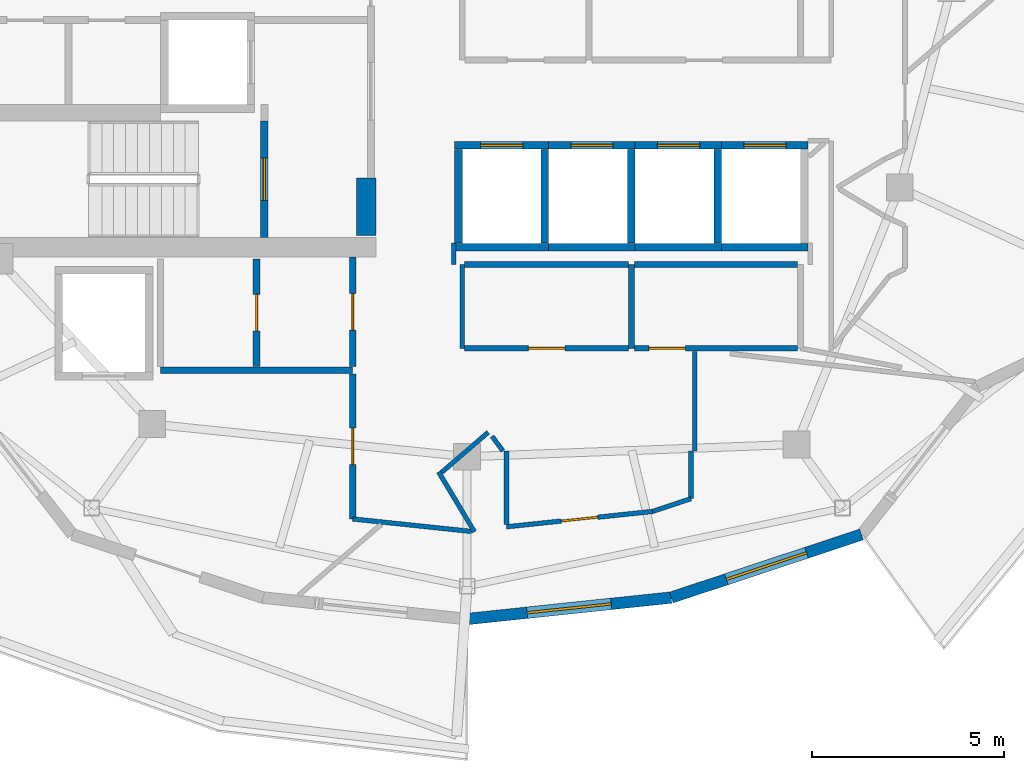
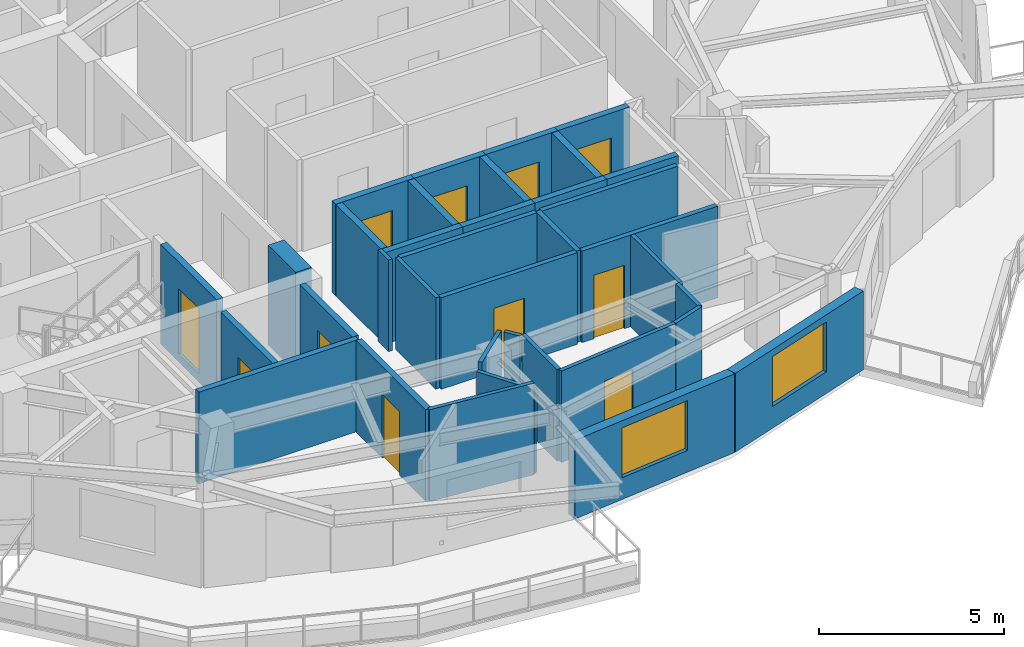
# One storey, part 8 of 14: 36 walls, 11 doors, 2 windows, 13 openings.
"""IFC4 building model written with IfcOpenShell, lengths in metres."""

from ifc_helpers import new_model, si_unit, direction, frame, frame_2d, origin, place, context, subcontext, project, spatial, rectangle, extrude, material, layer, layer_set, type_object, element, fill, save


model = new_model("IFC4")

# Units and contexts
model_context = context("Model", 3, precision=1e-05, world=origin(), true_north=direction((0.0, 1.0)))
body_context = subcontext(model_context, "Body", "Model", "MODEL_VIEW")
ifc_project = project(units=[si_unit("LENGTHUNIT", "METRE"), si_unit("AREAUNIT", "SQUARE_METRE"), si_unit("VOLUMEUNIT", "CUBIC_METRE"), si_unit("PLANEANGLEUNIT", "RADIAN"), si_unit("MASSUNIT", "GRAM", prefix="KILO")], contexts=[model_context])

# Site, building, storey
site_placement = place(None, origin())
site = spatial("IfcSite", under=ifc_project, at=site_placement, CompositionType="ELEMENT")
building_placement = place(site_placement, origin())
building = spatial("IfcBuilding", under=site, at=building_placement, Name="Kolvaren Gate Tower and Convention Centre", CompositionType="ELEMENT")
storey_placement = place(building_placement, frame((0.0, 0.0, 259.10009765625)))
storey = spatial("IfcBuildingStorey", under=building, at=storey_placement, Name="L70", CompositionType="ELEMENT", Elevation=259.10009765625)

# Wall
ifc_material_1 = material(Name="Autoclaved Aerated Masonry Blockwork Class 4 (4.0 MPa)", Category="masonry")
ifc_layer_1 = layer(ifc_material_1, 0.179931640625)
ifc_layer_set_1 = layer_set([ifc_layer_1], Name="Autoclaved Aerated Masonry Blockwork Class 4 (4.0 MPa)")
wall_type_1 = type_object("IfcWallType", Name="ARCH-WL-COMP-180", PredefinedType="SOLIDWALL", material=ifc_layer_set_1)
wall_1_placement = place(storey_placement, frame((22.14990234375, 17.050048828125, 0.0), z_axis=(0.0, 0.0, 1.0), x_axis=(1.0, 0.0, 0.0)))
element("IfcWall", 1, at=wall_1_placement, inside=storey, type_object=wall_type_1, Name="Interior Partition WL-L70-INT-011", PredefinedType="SOLIDWALL", context=body_context, shape_type="SweptSolid", body=[
    extrude(rectangle(XDim=5.0, YDim=0.179931640625, at=frame_2d((2.5, 0.0))), origin(), (0.0, 0.0, 1.0), 3.02978515625),
])

# Wall, opening, door
wall_2_placement = place(storey_placement, frame((24.64990234375, 17.14208984375, 0.0), z_axis=(0.0, 0.0, 1.0), x_axis=(0.0, 1.0, 0.0)))
wall_2 = element("IfcWall", 2, at=wall_2_placement, inside=storey, type_object=wall_type_1, Name="Interior Partition WL-L70-INT-013", PredefinedType="SOLIDWALL", context=body_context, shape_type="SweptSolid", body=[
    extrude(rectangle(XDim=2.807861328125, YDim=0.179931640625, at=frame_2d((1.40380859375, 0.0))), origin(), (0.0, 0.0, 1.0), 3.02978515625),
])
opening_1_placement = place(wall_2_placement, frame((0.928955078125, 0.0, 0.0)))
opening_1 = element("IfcOpeningElement", 3, at=opening_1_placement, cuts=wall_2, Name="Opening DR-01", PredefinedType="OPENING", context=body_context, shape_type="SweptSolid", body=[
    extrude(rectangle(XDim=0.949951171875, YDim=2.10009765625, at=frame_2d((0.47509765625, 1.050048828125))), frame((0.0, 0.099853515625, 0.0), z_axis=(0.0, -1.0, 0.0), x_axis=(1.0, 0.0, 0.0)), (0.0, 0.0, 1.0), 0.199951171875),
])
ifc_material_2 = material(Name="Painted Architectural Steelwork ASTM A500 Grade C 345 MPa", Category="steel")
door_type_1 = type_object("IfcDoorType", Name="ARCH-DR-RISER-950", OperationType="SINGLE_SWING_RIGHT", PredefinedType="DOOR", material=ifc_material_2)
door_1_placement = place(opening_1_placement, origin())
door_1 = element("IfcDoor", 4, at=door_1_placement, inside=storey, type_object=door_type_1, Name="West Valet Store Door", OperationType="SINGLE_SWING_LEFT", OverallHeight=2.10009765625, OverallWidth=0.949951171875, PredefinedType="DOOR", context=body_context, shape_type="SweptSolid", body=[
    extrude(rectangle(XDim=0.949951171875, YDim=2.10009765625, at=frame_2d((0.47509765625, 1.050048828125))), frame((0.0, 0.02490234375, 0.0), z_axis=(0.0, -1.0, 0.0), x_axis=(1.0, 0.0, 0.0)), (0.0, 0.0, 1.0), 0.050048828125),
])
fill(opening_1, door_1)

wall_3_placement = place(storey_placement, frame((27.14990234375, 13.180908203125, 0.0), z_axis=(0.0, 0.0, 1.0), x_axis=(0.0, 1.0, 0.0)))
wall_3 = element("IfcWall", 5, at=wall_3_placement, inside=storey, type_object=wall_type_1, Name="Interior Partition WL-L70-INT-014", PredefinedType="SOLIDWALL", context=body_context, shape_type="SweptSolid", body=[
    extrude(rectangle(XDim=3.777099609375, YDim=0.179931640625, at=frame_2d((1.888671875, 0.0))), origin(), (0.0, 0.0, 1.0), 3.02978515625),
])
opening_2_placement = place(wall_3_placement, frame((1.41357421875, 0.0, 0.0)))
opening_2 = element("IfcOpeningElement", 6, at=opening_2_placement, cuts=wall_3, Name="Opening DR-01", PredefinedType="OPENING", context=body_context, shape_type="SweptSolid", body=[
    extrude(rectangle(XDim=0.949951171875, YDim=2.10009765625, at=frame_2d((0.47509765625, 1.050048828125))), frame((0.0, 0.099853515625, 0.0), z_axis=(0.0, -1.0, 0.0), x_axis=(1.0, 0.0, 0.0)), (0.0, 0.0, 1.0), 0.199951171875),
])
door_2_placement = place(opening_2_placement, origin())
door_2 = element("IfcDoor", 7, at=door_2_placement, inside=storey, type_object=door_type_1, Name="Resident Private Study and Home Office Door", OperationType="SINGLE_SWING_RIGHT", OverallHeight=2.10009765625, OverallWidth=0.949951171875, PredefinedType="DOOR", context=body_context, shape_type="SweptSolid", body=[
    extrude(rectangle(XDim=0.949951171875, YDim=2.10009765625, at=frame_2d((0.47509765625, 1.050048828125))), frame((0.0, 0.02490234375, 0.0), z_axis=(0.0, -1.0, 0.0), x_axis=(1.0, 0.0, 0.0)), (0.0, 0.0, 1.0), 0.050048828125),
])
fill(opening_2, door_2)

wall_4_placement = place(storey_placement, frame((27.14990234375, 17.14208984375, 0.0), z_axis=(0.0, 0.0, 1.0), x_axis=(0.0, 1.0, 0.0)))
wall_4 = element("IfcWall", 8, at=wall_4_placement, inside=storey, type_object=wall_type_1, Name="Interior Partition WL-L70-INT-014 (2)", PredefinedType="SOLIDWALL", context=body_context, shape_type="SweptSolid", body=[
    extrude(rectangle(XDim=2.85595703125, YDim=0.179931640625, at=frame_2d((1.427978515625, 0.0))), origin(), (0.0, 0.0, 1.0), 3.02978515625),
])
opening_3_placement = place(wall_4_placement, frame((0.952880859375, 0.0, 0.0)))
opening_3 = element("IfcOpeningElement", 9, at=opening_3_placement, cuts=wall_4, Name="Opening DR-01", PredefinedType="OPENING", context=body_context, shape_type="SweptSolid", body=[
    extrude(rectangle(XDim=0.949951171875, YDim=2.10009765625, at=frame_2d((0.47509765625, 1.050048828125))), frame((0.0, 0.099853515625, 0.0), z_axis=(0.0, -1.0, 0.0), x_axis=(1.0, 0.0, 0.0)), (0.0, 0.0, 1.0), 0.199951171875),
])
door_3_placement = place(opening_3_placement, origin())
door_3 = element("IfcDoor", 10, at=door_3_placement, inside=storey, type_object=door_type_1, Name="Metering Switch Room Door", OperationType="SINGLE_SWING_RIGHT", OverallHeight=2.10009765625, OverallWidth=0.949951171875, PredefinedType="DOOR", context=body_context, shape_type="SweptSolid", body=[
    extrude(rectangle(XDim=0.949951171875, YDim=2.10009765625, at=frame_2d((0.47509765625, 1.050048828125))), frame((0.0, 0.02490234375, 0.0), z_axis=(0.0, -1.0, 0.0), x_axis=(1.0, 0.0, 0.0)), (0.0, 0.0, 1.0), 0.050048828125),
])
fill(opening_3, door_3)

# Walls
ifc_material_3 = material(Name="Fire-Rated Acoustic Gypsum Stud Partition", Category="gypsum")
ifc_layer_2 = layer(ifc_material_3, 0.1201171875)
ifc_layer_set_2 = layer_set([ifc_layer_2], Name="Fire-Rated Acoustic Gypsum Stud Partition")
wall_type_2 = type_object("IfcWallType", Name="ARCH-WL-PART-120", PredefinedType="PARTITIONING", material=ifc_layer_set_2)
wall_5_placement = place(storey_placement, frame((30.0, 17.6201171875, 0.0), z_axis=(0.0, 0.0, 1.0), x_axis=(0.0, 1.0, 0.0)))
element("IfcWall", 11, at=wall_5_placement, inside=storey, type_object=wall_type_2, Name="Interior Partition WL-L70-INT-017", PredefinedType="PARTITIONING", context=body_context, shape_type="SweptSolid", body=[
    extrude(rectangle(XDim=2.179931640625, YDim=0.1201171875, at=frame_2d((1.08984375, 0.0))), origin(), (0.0, 0.0, 1.0), 3.02978515625),
])
wall_6_placement = place(storey_placement, frame((29.780029296875, 19.800048828125, 0.0), z_axis=(0.0, 0.0, 1.0), x_axis=(0.0, 1.0, 0.0)))
element("IfcWall", 12, at=wall_6_placement, inside=storey, type_object=wall_type_2, Name="Interior Partition WL-L70-INT-063", PredefinedType="PARTITIONING", context=body_context, shape_type="SweptSolid", body=[
    extrude(rectangle(XDim=0.56005859375, YDim=0.1201171875, at=frame_2d((0.280029296875, 0.0))), origin(), (0.0, 0.0, 1.0), 3.02978515625),
])
wall_7_placement = place(storey_placement, frame((36.050048828125, 14.949951171875, 0.0), z_axis=(0.0, 0.0, 1.0), x_axis=(0.0, 1.0, 0.0)))
element("IfcWall", 13, at=wall_7_placement, inside=storey, type_object=wall_type_2, Name="Interior Partition WL-L70-INT-064", PredefinedType="PARTITIONING", context=body_context, shape_type="SweptSolid", body=[
    extrude(rectangle(XDim=2.593017578125, YDim=0.1201171875, at=frame_2d((1.29638671875, 0.0))), origin(), (0.0, 0.0, 1.0), 3.02978515625),
])
wall_8_placement = place(storey_placement, frame((35.949951171875, 13.7060546875, 0.0), z_axis=(0.0, 0.0, 1.0), x_axis=(0.0, 1.0, 0.0)))
element("IfcWall", 14, at=wall_8_placement, inside=storey, type_object=wall_type_2, Name="Interior Partition WL-L70-INT-065", PredefinedType="PARTITIONING", context=body_context, shape_type="SweptSolid", body=[
    extrude(rectangle(XDim=1.243896484375, YDim=0.1201171875, at=frame_2d((0.6220703125, 0.0))), origin(), (0.0, 0.0, 1.0), 3.02978515625),
])
wall_9_placement = place(storey_placement, frame((34.955078125, 13.3759765625, 0.0), z_axis=(0.0, 0.0, 1.0), x_axis=(0.949124905871, 0.314899846071, 0.0)))
element("IfcWall", 15, at=wall_9_placement, inside=storey, type_object=wall_type_2, Name="Interior Partition WL-L70-INT-066", PredefinedType="PARTITIONING", context=body_context, shape_type="SweptSolid", body=[
    extrude(rectangle(XDim=1.048095703125, YDim=0.1201171875, at=frame_2d((0.52392578125, 0.0))), origin(), (0.0, 0.0, 1.0), 3.02978515625),
])

# Wall, opening, door
wall_10_placement = place(storey_placement, frame((31.14990234375, 12.97607421875, 0.0), z_axis=(0.0, 0.0, 1.0), x_axis=(0.994522920899, 0.104518705533, 0.0)))
wall_10 = element("IfcWall", 16, at=wall_10_placement, inside=storey, type_object=wall_type_2, Name="Interior Partition WL-L70-INT-067", PredefinedType="PARTITIONING", context=body_context, shape_type="SweptSolid", body=[
    extrude(rectangle(XDim=3.826171875, YDim=0.1201171875, at=frame_2d((1.9130859375, 0.0))), origin(), (0.0, 0.0, 1.0), 3.02978515625),
])
opening_4_placement = place(wall_10_placement, frame((1.43798828125, 0.0, 0.0)))
opening_4 = element("IfcOpeningElement", 17, at=opening_4_placement, cuts=wall_10, Name="Opening DR-01", PredefinedType="OPENING", context=body_context, shape_type="SweptSolid", body=[
    extrude(rectangle(XDim=0.949951171875, YDim=2.10009765625, at=frame_2d((0.47509765625, 1.050048828125))), frame((0.0, 0.070068359375, 0.0), z_axis=(0.0, -1.0, 0.0), x_axis=(1.0, 0.0, 0.0)), (0.0, 0.0, 1.0), 0.14013671875),
])
door_4_placement = place(opening_4_placement, origin())
door_4 = element("IfcDoor", 18, at=door_4_placement, inside=storey, type_object=door_type_1, Name="Crown Executive Office Door", OperationType="SINGLE_SWING_RIGHT", OverallHeight=2.10009765625, OverallWidth=0.949951171875, PredefinedType="DOOR", context=body_context, shape_type="SweptSolid", body=[
    extrude(rectangle(XDim=0.949951171875, YDim=2.10009765625, at=frame_2d((0.47509765625, 1.050048828125))), frame((0.0, 0.02490234375, 0.0), z_axis=(0.0, -1.0, 0.0), x_axis=(1.0, 0.0, 0.0)), (0.0, 0.0, 1.0), 0.050048828125),
])
fill(opening_4, door_4)

# Walls
wall_11_placement = place(storey_placement, frame((31.14990234375, 13.038330078125, 0.0), z_axis=(0.0, 0.0, 1.0), x_axis=(0.0, 1.0, 0.0)))
element("IfcWall", 19, at=wall_11_placement, inside=storey, type_object=wall_type_2, Name="Interior Partition WL-L70-INT-068", PredefinedType="PARTITIONING", context=body_context, shape_type="SweptSolid", body=[
    extrude(rectangle(XDim=1.91162109375, YDim=0.1201171875, at=frame_2d((0.955810546875, 0.0))), origin(), (0.0, 0.0, 1.0), 3.02978515625),
])
wall_12_placement = place(storey_placement, frame((30.77392578125, 15.3330078125, 0.0), z_axis=(0.0, 0.0, 1.0), x_axis=(0.595814974861, -0.803121731577, 0.0)))
element("IfcWall", 20, at=wall_12_placement, inside=storey, type_object=wall_type_2, Name="Interior Partition WL-L70-INT-069", PredefinedType="PARTITIONING", context=body_context, shape_type="SweptSolid", body=[
    extrude(rectangle(XDim=0.47705078125, YDim=0.1201171875, at=frame_2d((0.238525390625, 0.0))), origin(), (0.0, 0.0, 1.0), 3.02978515625),
])
wall_13_placement = place(storey_placement, frame((29.384033203125, 14.404052734375, 0.0), z_axis=(0.0, 0.0, 1.0), x_axis=(0.513922040123, -0.857836893982, 0.0)))
element("IfcWall", 21, at=wall_13_placement, inside=storey, type_object=wall_type_2, Name="Interior Partition WL-L70-INT-070", PredefinedType="PARTITIONING", context=body_context, shape_type="SweptSolid", body=[
    extrude(rectangle(XDim=1.815185546875, YDim=0.1201171875, at=frame_2d((0.90771484375, 0.0))), origin(), (0.0, 0.0, 1.0), 2.77001953125),
])
wall_14_placement = place(storey_placement, frame((27.14990234375, 13.180908203125, 0.0), z_axis=(0.0, 0.0, 1.0), x_axis=(0.994482609393, -0.104901571076, 0.0)))
element("IfcWall", 22, at=wall_14_placement, inside=storey, type_object=wall_type_2, Name="Interior Partition WL-L70-INT-071", PredefinedType="PARTITIONING", context=body_context, shape_type="SweptSolid", body=[
    extrude(rectangle(XDim=3.10693359375, YDim=0.1201171875, at=frame_2d((1.553466796875, 0.0))), origin(), (0.0, 0.0, 1.0), 3.02978515625),
])
wall_15_placement = place(storey_placement, frame((29.462890625, 14.392822265625, 0.0), z_axis=(0.0, 0.0, 1.0), x_axis=(0.758209368839, 0.652011160184, 0.0)))
element("IfcWall", 23, at=wall_15_placement, inside=storey, type_object=wall_type_2, Name="Interior Partition WL-L70-INT-074", PredefinedType="PARTITIONING", context=body_context, shape_type="SweptSolid", body=[
    extrude(rectangle(XDim=1.59765625, YDim=0.1201171875, at=frame_2d((0.798828125, 0.0))), origin(), (0.0, 0.0, 1.0), 3.02978515625),
])

# Wall, opening, door
ifc_layer_3 = layer(ifc_material_1, 0.199951171875)
ifc_layer_set_3 = layer_set([ifc_layer_3], Name="Autoclaved Aerated Masonry Blockwork Class 4 (4.0 MPa)")
wall_type_3 = type_object("IfcWallType", Name="ARCH-WL-SHAFT-200", PredefinedType="SOLIDWALL", material=ifc_layer_set_3)
wall_16_placement = place(storey_placement, frame((29.800048828125, 22.89990234375, 0.0), z_axis=(0.0, 0.0, 1.0), x_axis=(1.0, 0.0, 0.0)))
wall_16 = element("IfcWall", 24, at=wall_16_placement, inside=storey, type_object=wall_type_3, Name="Elevator PL-09 L70 Fire Shaft Wall N", PredefinedType="SOLIDWALL", context=body_context, shape_type="SweptSolid", body=[
    extrude(rectangle(XDim=2.449951171875, YDim=0.199951171875, at=frame_2d((1.22509765625, 0.0))), origin(), (0.0, 0.0, 1.0), 3.02978515625),
])
opening_5_placement = place(wall_16_placement, frame((0.675048828125, 0.0, 0.0)))
opening_5 = element("IfcOpeningElement", 25, at=opening_5_placement, cuts=wall_16, Name="Opening LD", PredefinedType="OPENING", context=body_context, shape_type="SweptSolid", body=[
    extrude(rectangle(XDim=1.10009765625, YDim=2.199951171875, at=frame_2d((0.550048828125, 1.10009765625))), frame((0.0, 0.10986328125, 0.0), z_axis=(0.0, -1.0, 0.0), x_axis=(1.0, 0.0, 0.0)), (0.0, 0.0, 1.0), 0.219970703125),
])
ifc_material_4 = material(Name="Brushed Stainless Steel Grade 316L", Category="steel")
door_type_2 = type_object("IfcDoorType", Name="ARCH-DR-LIFT-1100", OperationType="SLIDING_TO_LEFT", PredefinedType="DOOR", material=ifc_material_4)
door_5_placement = place(opening_5_placement, origin())
door_5 = element("IfcDoor", 26, at=door_5_placement, inside=storey, type_object=door_type_2, Name="Elevator PL-09 L70 Sliding Landing Door", OperationType="SLIDING_TO_LEFT", OverallHeight=2.199951171875, OverallWidth=1.10009765625, PredefinedType="DOOR", context=body_context, shape_type="SweptSolid", body=[
    extrude(rectangle(XDim=1.10009765625, YDim=2.199951171875, at=frame_2d((0.550048828125, 1.10009765625))), frame((0.0, 0.02490234375, 0.0), z_axis=(0.0, -1.0, 0.0), x_axis=(1.0, 0.0, 0.0)), (0.0, 0.0, 1.0), 0.050048828125),
])
fill(opening_5, door_5)

# Walls
wall_17_placement = place(storey_placement, frame((29.800048828125, 20.25, 0.0), z_axis=(0.0, 0.0, 1.0), x_axis=(1.0, 0.0, 0.0)))
element("IfcWall", 27, at=wall_17_placement, inside=storey, type_object=wall_type_3, Name="Elevator PL-09 L70 Fire Shaft Wall S", PredefinedType="SOLIDWALL", context=body_context, shape_type="SweptSolid", body=[
    extrude(rectangle(XDim=2.449951171875, YDim=0.199951171875, at=frame_2d((1.22509765625, 0.0))), origin(), (0.0, 0.0, 1.0), 3.02978515625),
])
for number, where, z_axis, x_axis, name in (
    (28, (29.89990234375, 20.360107421875, 0.0), (0.0, 0.0, 1.0), (0.0, 1.0, 0.0), "Elevator PL-09 L70 Fire Shaft Wall W"),
    (29, (32.14990234375, 20.360107421875, 0.0), (0.0, 0.0, 1.0), (0.0, 1.0, 0.0), "Elevator PL-09 L70 Fire Shaft Wall E"),
):
    element("IfcWall", number, at=place(storey_placement, frame(where, z_axis=z_axis, x_axis=x_axis)), inside=storey, type_object=wall_type_3, Name=name, PredefinedType="SOLIDWALL", context=body_context, shape_type="SweptSolid", body=[
        extrude(rectangle(XDim=2.429931640625, YDim=0.199951171875, at=frame_2d((1.21484375, 0.0))), origin(), (0.0, 0.0, 1.0), 3.02978515625),
    ])

# Wall, opening, door
wall_18_placement = place(storey_placement, frame((32.25, 22.89990234375, 0.0), z_axis=(0.0, 0.0, 1.0), x_axis=(1.0, 0.0, 0.0)))
wall_18 = element("IfcWall", 30, at=wall_18_placement, inside=storey, type_object=wall_type_3, Name="Elevator PL-10 L70 Fire Shaft Wall N", PredefinedType="SOLIDWALL", context=body_context, shape_type="SweptSolid", body=[
    extrude(rectangle(XDim=2.25, YDim=0.199951171875, at=frame_2d((1.125, 0.0))), origin(), (0.0, 0.0, 1.0), 3.02978515625),
])
opening_6_placement = place(wall_18_placement, frame((0.574951171875, 0.0, 0.0)))
opening_6 = element("IfcOpeningElement", 31, at=opening_6_placement, cuts=wall_18, Name="Opening LD", PredefinedType="OPENING", context=body_context, shape_type="SweptSolid", body=[
    extrude(rectangle(XDim=1.10009765625, YDim=2.199951171875, at=frame_2d((0.550048828125, 1.10009765625))), frame((0.0, 0.10986328125, 0.0), z_axis=(0.0, -1.0, 0.0), x_axis=(1.0, 0.0, 0.0)), (0.0, 0.0, 1.0), 0.219970703125),
])
door_6_placement = place(opening_6_placement, origin())
door_6 = element("IfcDoor", 32, at=door_6_placement, inside=storey, type_object=door_type_2, Name="Elevator PL-10 L70 Sliding Landing Door", OperationType="SLIDING_TO_LEFT", OverallHeight=2.199951171875, OverallWidth=1.10009765625, PredefinedType="DOOR", context=body_context, shape_type="SweptSolid", body=[
    extrude(rectangle(XDim=1.10009765625, YDim=2.199951171875, at=frame_2d((0.550048828125, 1.10009765625))), frame((0.0, 0.02490234375, 0.0), z_axis=(0.0, -1.0, 0.0), x_axis=(1.0, 0.0, 0.0)), (0.0, 0.0, 1.0), 0.050048828125),
])
fill(opening_6, door_6)

# Walls
wall_19_placement = place(storey_placement, frame((32.25, 20.25, 0.0), z_axis=(0.0, 0.0, 1.0), x_axis=(1.0, 0.0, 0.0)))
element("IfcWall", 33, at=wall_19_placement, inside=storey, type_object=wall_type_3, Name="Elevator PL-10 L70 Fire Shaft Wall S", PredefinedType="SOLIDWALL", context=body_context, shape_type="SweptSolid", body=[
    extrude(rectangle(XDim=2.25, YDim=0.199951171875, at=frame_2d((1.125, 0.0))), origin(), (0.0, 0.0, 1.0), 3.02978515625),
])
wall_20_placement = place(storey_placement, frame((34.39990234375, 20.360107421875, 0.0), z_axis=(0.0, 0.0, 1.0), x_axis=(0.0, 1.0, 0.0)))
element("IfcWall", 34, at=wall_20_placement, inside=storey, type_object=wall_type_3, Name="Elevator PL-10 L70 Fire Shaft Wall E", PredefinedType="SOLIDWALL", context=body_context, shape_type="SweptSolid", body=[
    extrude(rectangle(XDim=2.429931640625, YDim=0.199951171875, at=frame_2d((1.21484375, 0.0))), origin(), (0.0, 0.0, 1.0), 3.02978515625),
])

# Wall, opening, door
wall_21_placement = place(storey_placement, frame((34.5, 22.89990234375, 0.0), z_axis=(0.0, 0.0, 1.0), x_axis=(1.0, 0.0, 0.0)))
wall_21 = element("IfcWall", 35, at=wall_21_placement, inside=storey, type_object=wall_type_3, Name="Elevator PL-11 L70 Fire Shaft Wall N", PredefinedType="SOLIDWALL", context=body_context, shape_type="SweptSolid", body=[
    extrude(rectangle(XDim=2.25, YDim=0.199951171875, at=frame_2d((1.125, 0.0))), origin(), (0.0, 0.0, 1.0), 3.02978515625),
])
opening_7_placement = place(wall_21_placement, frame((0.574951171875, 0.0, 0.0)))
opening_7 = element("IfcOpeningElement", 36, at=opening_7_placement, cuts=wall_21, Name="Opening LD", PredefinedType="OPENING", context=body_context, shape_type="SweptSolid", body=[
    extrude(rectangle(XDim=1.10009765625, YDim=2.199951171875, at=frame_2d((0.550048828125, 1.10009765625))), frame((0.0, 0.10986328125, 0.0), z_axis=(0.0, -1.0, 0.0), x_axis=(1.0, 0.0, 0.0)), (0.0, 0.0, 1.0), 0.219970703125),
])
door_7_placement = place(opening_7_placement, origin())
door_7 = element("IfcDoor", 37, at=door_7_placement, inside=storey, type_object=door_type_2, Name="Elevator PL-11 L70 Sliding Landing Door", OperationType="SLIDING_TO_LEFT", OverallHeight=2.199951171875, OverallWidth=1.10009765625, PredefinedType="DOOR", context=body_context, shape_type="SweptSolid", body=[
    extrude(rectangle(XDim=1.10009765625, YDim=2.199951171875, at=frame_2d((0.550048828125, 1.10009765625))), frame((0.0, 0.02490234375, 0.0), z_axis=(0.0, -1.0, 0.0), x_axis=(1.0, 0.0, 0.0)), (0.0, 0.0, 1.0), 0.050048828125),
])
fill(opening_7, door_7)

# Walls
wall_22_placement = place(storey_placement, frame((34.5, 20.25, 0.0), z_axis=(0.0, 0.0, 1.0), x_axis=(1.0, 0.0, 0.0)))
element("IfcWall", 38, at=wall_22_placement, inside=storey, type_object=wall_type_3, Name="Elevator PL-11 L70 Fire Shaft Wall S", PredefinedType="SOLIDWALL", context=body_context, shape_type="SweptSolid", body=[
    extrude(rectangle(XDim=2.25, YDim=0.199951171875, at=frame_2d((1.125, 0.0))), origin(), (0.0, 0.0, 1.0), 3.02978515625),
])
wall_23_placement = place(storey_placement, frame((36.64990234375, 20.360107421875, 0.0), z_axis=(0.0, 0.0, 1.0), x_axis=(0.0, 1.0, 0.0)))
element("IfcWall", 39, at=wall_23_placement, inside=storey, type_object=wall_type_3, Name="Elevator PL-11 L70 Fire Shaft Wall E", PredefinedType="SOLIDWALL", context=body_context, shape_type="SweptSolid", body=[
    extrude(rectangle(XDim=2.429931640625, YDim=0.199951171875, at=frame_2d((1.21484375, 0.0))), origin(), (0.0, 0.0, 1.0), 3.02978515625),
])

# Wall, opening, door
wall_24_placement = place(storey_placement, frame((36.75, 22.89990234375, 0.0), z_axis=(0.0, 0.0, 1.0), x_axis=(1.0, 0.0, 0.0)))
wall_24 = element("IfcWall", 40, at=wall_24_placement, inside=storey, type_object=wall_type_3, Name="Elevator PL-12 L70 Fire Shaft Wall N", PredefinedType="SOLIDWALL", context=body_context, shape_type="SweptSolid", body=[
    extrude(rectangle(XDim=2.25, YDim=0.199951171875, at=frame_2d((1.125, 0.0))), origin(), (0.0, 0.0, 1.0), 3.02978515625),
])
opening_8_placement = place(wall_24_placement, frame((0.574951171875, 0.0, 0.0)))
opening_8 = element("IfcOpeningElement", 41, at=opening_8_placement, cuts=wall_24, Name="Opening LD", PredefinedType="OPENING", context=body_context, shape_type="SweptSolid", body=[
    extrude(rectangle(XDim=1.10009765625, YDim=2.199951171875, at=frame_2d((0.550048828125, 1.10009765625))), frame((0.0, 0.10986328125, 0.0), z_axis=(0.0, -1.0, 0.0), x_axis=(1.0, 0.0, 0.0)), (0.0, 0.0, 1.0), 0.219970703125),
])
door_8_placement = place(opening_8_placement, origin())
door_8 = element("IfcDoor", 42, at=door_8_placement, inside=storey, type_object=door_type_2, Name="Elevator PL-12 L70 Sliding Landing Door", OperationType="SLIDING_TO_LEFT", OverallHeight=2.199951171875, OverallWidth=1.10009765625, PredefinedType="DOOR", context=body_context, shape_type="SweptSolid", body=[
    extrude(rectangle(XDim=1.10009765625, YDim=2.199951171875, at=frame_2d((0.550048828125, 1.10009765625))), frame((0.0, 0.02490234375, 0.0), z_axis=(0.0, -1.0, 0.0), x_axis=(1.0, 0.0, 0.0)), (0.0, 0.0, 1.0), 0.050048828125),
])
fill(opening_8, door_8)

# Wall
wall_25_placement = place(storey_placement, frame((36.75, 20.25, 0.0), z_axis=(0.0, 0.0, 1.0), x_axis=(1.0, 0.0, 0.0)))
element("IfcWall", 43, at=wall_25_placement, inside=storey, type_object=wall_type_3, Name="Elevator PL-12 L70 Fire Shaft Wall S", PredefinedType="SOLIDWALL", context=body_context, shape_type="SweptSolid", body=[
    extrude(rectangle(XDim=2.25, YDim=0.199951171875, at=frame_2d((1.125, 0.0))), origin(), (0.0, 0.0, 1.0), 3.02978515625),
])

# Wall, opening, window
ifc_material_5 = material(Name="Piedmont Cream Honed Limestone Cladding", Category="masonry")
ifc_layer_4 = layer(ifc_material_5, 0.300048828125)
ifc_layer_set_4 = layer_set([ifc_layer_4], Name="Piedmont Cream Honed Limestone Cladding")
wall_type_4 = type_object("IfcWallType", Name="ARCH-WL-STONE-300", PredefinedType="SOLIDWALL", material=ifc_layer_set_4)
wall_26_placement = place(storey_placement, frame((30.125, 10.574951171875, 0.0), z_axis=(0.0, 0.0, 1.0), x_axis=(0.9944966869, 0.104768028258, 0.0)))
wall_26 = element("IfcWall", 44, at=wall_26_placement, inside=storey, type_object=wall_type_4, Name="Tower L70 Honed Stone Spandrel Wall EW-18", PredefinedType="SOLIDWALL", context=body_context, shape_type="SweptSolid", body=[
    extrude(rectangle(XDim=5.34326171875, YDim=0.300048828125, at=frame_2d((2.671630859375, 0.0))), origin(), (0.0, 0.0, 1.0), 2.60498046875),
])
opening_9_placement = place(wall_26_placement, frame((1.572021484375, 0.0, 0.719970703125)))
opening_9 = element("IfcOpeningElement", 45, at=opening_9_placement, cuts=wall_26, Name="Opening W-03", PredefinedType="OPENING", context=body_context, shape_type="SweptSolid", body=[
    extrude(rectangle(XDim=2.199951171875, YDim=1.64990234375, at=frame_2d((1.10009765625, 0.824951171875))), frame((0.0, 0.159912109375, 0.0), z_axis=(0.0, -1.0, 0.0), x_axis=(1.0, 0.0, 0.0)), (0.0, 0.0, 1.0), 0.320068359375),
])
ifc_material_6 = material(Name="Low-E Triple Insulated Glazing Unit 44 mm", Category="glass")
window_type = type_object("IfcWindowType", Name="ARCH-WN-RES-2200", PartitioningType="SINGLE_PANEL", PredefinedType="WINDOW", material=ifc_material_6)
window_1_placement = place(opening_9_placement, origin())
window_1 = element("IfcWindow", 46, at=window_1_placement, inside=storey, type_object=window_type, Name="Tower L70 Punched Stone Facade Window W-18", OverallHeight=1.64990234375, OverallWidth=2.199951171875, PartitioningType="SINGLE_PANEL", PredefinedType="WINDOW", context=body_context, shape_type="SweptSolid", body=[
    extrude(rectangle(XDim=2.199951171875, YDim=1.64990234375, at=frame_2d((1.10009765625, 0.824951171875))), frame((0.0, 0.030029296875, 0.0), z_axis=(0.0, -1.0, 0.0), x_axis=(1.0, 0.0, 0.0)), (0.0, 0.0, 1.0), 0.06005859375),
])
fill(opening_9, window_1)

wall_27_placement = place(storey_placement, frame((35.43896484375, 11.134765625, 0.0), z_axis=(0.0, 0.0, 1.0), x_axis=(0.949252744709, 0.314514271001, 0.0)))
wall_27 = element("IfcWall", 47, at=wall_27_placement, inside=storey, type_object=wall_type_4, Name="Tower L70 Honed Stone Spandrel Wall EW-19", PredefinedType="SOLIDWALL", context=body_context, shape_type="SweptSolid", body=[
    extrude(rectangle(XDim=5.21630859375, YDim=0.300048828125, at=frame_2d((2.608154296875, 0.0))), origin(), (0.0, 0.0, 1.0), 2.60498046875),
])
opening_10_placement = place(wall_27_placement, frame((1.508056640625, 0.0, 0.719970703125)))
opening_10 = element("IfcOpeningElement", 48, at=opening_10_placement, cuts=wall_27, Name="Opening W-03", PredefinedType="OPENING", context=body_context, shape_type="SweptSolid", body=[
    extrude(rectangle(XDim=2.199951171875, YDim=1.64990234375, at=frame_2d((1.10009765625, 0.824951171875))), frame((0.0, 0.159912109375, 0.0), z_axis=(0.0, -1.0, 0.0), x_axis=(1.0, 0.0, 0.0)), (0.0, 0.0, 1.0), 0.320068359375),
])
window_2_placement = place(opening_10_placement, origin())
window_2 = element("IfcWindow", 49, at=window_2_placement, inside=storey, type_object=window_type, Name="Tower L70 Punched Stone Facade Window W-19", OverallHeight=1.64990234375, OverallWidth=2.199951171875, PartitioningType="SINGLE_PANEL", PredefinedType="WINDOW", context=body_context, shape_type="SweptSolid", body=[
    extrude(rectangle(XDim=2.199951171875, YDim=1.64990234375, at=frame_2d((1.10009765625, 0.824951171875))), frame((0.0, 0.030029296875, 0.0), z_axis=(0.0, -1.0, 0.0), x_axis=(1.0, 0.0, 0.0)), (0.0, 0.0, 1.0), 0.06005859375),
])
fill(opening_10, window_2)

# Wall
ifc_material_7 = material(Name="Moisture-Resistant Cement-Board Acoustic Partition", Category="gypsum")
ifc_layer_5 = layer(ifc_material_7, 0.14990234375)
ifc_layer_set_5 = layer_set([ifc_layer_5], Name="Moisture-Resistant Cement-Board Acoustic Partition")
wall_type_5 = type_object("IfcWallType", Name="ARCH-WL-WET-150", PredefinedType="PARTITIONING", material=ifc_layer_set_5)
wall_28_placement = place(storey_placement, frame((34.39990234375, 17.6201171875, 0.0), z_axis=(0.0, 0.0, 1.0), x_axis=(0.0, 1.0, 0.0)))
element("IfcWall", 50, at=wall_28_placement, inside=storey, type_object=wall_type_5, Name="Interior Partition WL-L70-INT-030", PredefinedType="PARTITIONING", context=body_context, shape_type="SweptSolid", body=[
    extrude(rectangle(XDim=2.179931640625, YDim=0.14990234375, at=frame_2d((1.08984375, 0.0))), origin(), (0.0, 0.0, 1.0), 3.02978515625),
])

# Wall, opening, door
wall_29_placement = place(storey_placement, frame((30.06201171875, 17.6201171875, 0.0), z_axis=(0.0, 0.0, 1.0), x_axis=(1.0, 0.0, 0.0)))
wall_29 = element("IfcWall", 51, at=wall_29_placement, inside=storey, type_object=wall_type_5, Name="Interior Partition WL-L70-INT-032", PredefinedType="PARTITIONING", context=body_context, shape_type="SweptSolid", body=[
    extrude(rectangle(XDim=4.260986328125, YDim=0.14990234375, at=frame_2d((2.13037109375, 0.0))), origin(), (0.0, 0.0, 1.0), 3.02978515625),
])
opening_11_placement = place(wall_29_placement, frame((1.655517578125, 0.0, 0.0)))
opening_11 = element("IfcOpeningElement", 52, at=opening_11_placement, cuts=wall_29, Name="Opening DR-01", PredefinedType="OPENING", context=body_context, shape_type="SweptSolid", body=[
    extrude(rectangle(XDim=0.949951171875, YDim=2.10009765625, at=frame_2d((0.47509765625, 1.050048828125))), frame((0.0, 0.0849609375, 0.0), z_axis=(0.0, -1.0, 0.0), x_axis=(1.0, 0.0, 0.0)), (0.0, 0.0, 1.0), 0.169921875),
])
door_9_placement = place(opening_11_placement, origin())
door_9 = element("IfcDoor", 53, at=door_9_placement, inside=storey, type_object=door_type_1, Name="Resident Wine Pantry Door", OperationType="SINGLE_SWING_LEFT", OverallHeight=2.10009765625, OverallWidth=0.949951171875, PredefinedType="DOOR", context=body_context, shape_type="SweptSolid", body=[
    extrude(rectangle(XDim=0.949951171875, YDim=2.10009765625, at=frame_2d((0.47509765625, 1.050048828125))), frame((0.0, 0.02490234375, 0.0), z_axis=(0.0, -1.0, 0.0), x_axis=(1.0, 0.0, 0.0)), (0.0, 0.0, 1.0), 0.050048828125),
])
fill(opening_11, door_9)

wall_30_placement = place(storey_placement, frame((34.47705078125, 17.6201171875, 0.0), z_axis=(0.0, 0.0, 1.0), x_axis=(1.0, 0.0, 0.0)))
wall_30 = element("IfcWall", 54, at=wall_30_placement, inside=storey, type_object=wall_type_5, Name="Interior Partition WL-L70-INT-032 (2)", PredefinedType="PARTITIONING", context=body_context, shape_type="SweptSolid", body=[
    extrude(rectangle(XDim=4.245849609375, YDim=0.14990234375, at=frame_2d((2.123046875, 0.0))), origin(), (0.0, 0.0, 1.0), 3.02978515625),
])
opening_12_placement = place(wall_30_placement, frame((0.37646484375, 0.0, 0.0)))
opening_12 = element("IfcOpeningElement", 55, at=opening_12_placement, cuts=wall_30, Name="Opening DR-01", PredefinedType="OPENING", context=body_context, shape_type="SweptSolid", body=[
    extrude(rectangle(XDim=0.949951171875, YDim=2.10009765625, at=frame_2d((0.47509765625, 1.050048828125))), frame((0.0, 0.0849609375, 0.0), z_axis=(0.0, -1.0, 0.0), x_axis=(1.0, 0.0, 0.0)), (0.0, 0.0, 1.0), 0.169921875),
])
door_10_placement = place(opening_12_placement, origin())
door_10 = element("IfcDoor", 56, at=door_10_placement, inside=storey, type_object=door_type_1, Name="Parcel Cold Store Door", OperationType="SINGLE_SWING_RIGHT", OverallHeight=2.10009765625, OverallWidth=0.949951171875, PredefinedType="DOOR", context=body_context, shape_type="SweptSolid", body=[
    extrude(rectangle(XDim=0.949951171875, YDim=2.10009765625, at=frame_2d((0.47509765625, 1.050048828125))), frame((0.0, 0.02490234375, 0.0), z_axis=(0.0, -1.0, 0.0), x_axis=(1.0, 0.0, 0.0)), (0.0, 0.0, 1.0), 0.050048828125),
])
fill(opening_12, door_10)

# Walls
wall_31_placement = place(storey_placement, frame((30.06201171875, 19.800048828125, 0.0), z_axis=(0.0, 0.0, 1.0), x_axis=(1.0, 0.0, 0.0)))
element("IfcWall", 57, at=wall_31_placement, inside=storey, type_object=wall_type_5, Name="Interior Partition WL-L70-INT-033", PredefinedType="PARTITIONING", context=body_context, shape_type="SweptSolid", body=[
    extrude(rectangle(XDim=4.260986328125, YDim=0.14990234375, at=frame_2d((2.13037109375, 0.0))), origin(), (0.0, 0.0, 1.0), 3.02978515625),
])
wall_32_placement = place(storey_placement, frame((34.47705078125, 19.800048828125, 0.0), z_axis=(0.0, 0.0, 1.0), x_axis=(1.0, 0.0, 0.0)))
element("IfcWall", 58, at=wall_32_placement, inside=storey, type_object=wall_type_5, Name="Interior Partition WL-L70-INT-033 (2)", PredefinedType="PARTITIONING", context=body_context, shape_type="SweptSolid", body=[
    extrude(rectangle(XDim=4.245849609375, YDim=0.14990234375, at=frame_2d((2.123046875, 0.0))), origin(), (0.0, 0.0, 1.0), 3.02978515625),
])
ifc_material_8 = material(Name="Concrete C50/60", Category="concrete")
ifc_layer_6 = layer(ifc_material_8, 0.5)
ifc_layer_set_6 = layer_set([ifc_layer_6], Name="Concrete C50/60")
wall_type_6 = type_object("IfcWallType", Name="STR-WL-CORE-500", PredefinedType="SHEAR", material=ifc_layer_set_6)
wall_33_placement = place(storey_placement, frame((27.5, 20.550048828125, -0.27001953125), z_axis=(0.0, 0.0, 1.0), x_axis=(0.0, 1.0, 0.0)))
element("IfcWall", 59, at=wall_33_placement, inside=storey, type_object=wall_type_6, Name="Tower L70 Offset Core Shear Wall ES", PredefinedType="SHEAR", context=body_context, shape_type="SweptSolid", body=[
    extrude(rectangle(XDim=1.5, YDim=0.5, at=frame_2d((0.75, 0.0))), origin(), (0.0, 0.0, 1.0), 3.2998046875),
])

# Wall, opening, door
ifc_layer_7 = layer(ifc_material_8, 0.199951171875)
ifc_layer_set_7 = layer_set([ifc_layer_7], Name="Concrete C50/60")
wall_type_7 = type_object("IfcWallType", Name="STR-WL-SHAFT-200", PredefinedType="SHEAR", material=ifc_layer_set_7)
wall_34_placement = place(storey_placement, frame((24.85009765625, 20.501953125, -0.27001953125), z_axis=(0.0, 0.0, 1.0), x_axis=(0.0, 1.0, 0.0)))
wall_34 = element("IfcWall", 60, at=wall_34_placement, inside=storey, type_object=wall_type_7, Name="Tower South Exit Stair ST-T2 L70 Structural Shear Enclosure Wall NEAR", PredefinedType="SHEAR", context=body_context, shape_type="SweptSolid", body=[
    extrude(rectangle(XDim=3.0380859375, YDim=0.199951171875, at=frame_2d((1.51904296875, 0.0))), origin(), (0.0, 0.0, 1.0), 3.2998046875),
])
opening_13_placement = place(wall_34_placement, frame((0.968994140625, 0.0, 0.27001953125)))
opening_13 = element("IfcOpeningElement", 61, at=opening_13_placement, cuts=wall_34, Name="Opening DS-01", PredefinedType="OPENING", context=body_context, shape_type="SweptSolid", body=[
    extrude(rectangle(XDim=1.10009765625, YDim=2.14990234375, at=frame_2d((0.550048828125, 1.074951171875))), frame((0.0, 0.10986328125, 0.0), z_axis=(0.0, -1.0, 0.0), x_axis=(1.0, 0.0, 0.0)), (0.0, 0.0, 1.0), 0.219970703125),
])
door_type_3 = type_object("IfcDoorType", Name="ARCH-DR-STAIR-1100", OperationType="SINGLE_SWING_LEFT", PredefinedType="DOOR", material=ifc_material_2)
door_11_placement = place(opening_13_placement, origin())
door_11 = element("IfcDoor", 62, at=door_11_placement, inside=storey, type_object=door_type_3, Name="Tower South Exit Stair ST-T2 L70 Fire Exit Stair Door", OperationType="SINGLE_SWING_RIGHT", OverallHeight=2.14990234375, OverallWidth=1.10009765625, PredefinedType="DOOR", context=body_context, shape_type="SweptSolid", body=[
    extrude(rectangle(XDim=1.10009765625, YDim=2.14990234375, at=frame_2d((0.550048828125, 1.074951171875))), frame((0.0, 0.02490234375, 0.0), z_axis=(0.0, -1.0, 0.0), x_axis=(1.0, 0.0, 0.0)), (0.0, 0.0, 1.0), 0.050048828125),
])
fill(opening_13, door_11)

save(model, "model.ifc")
